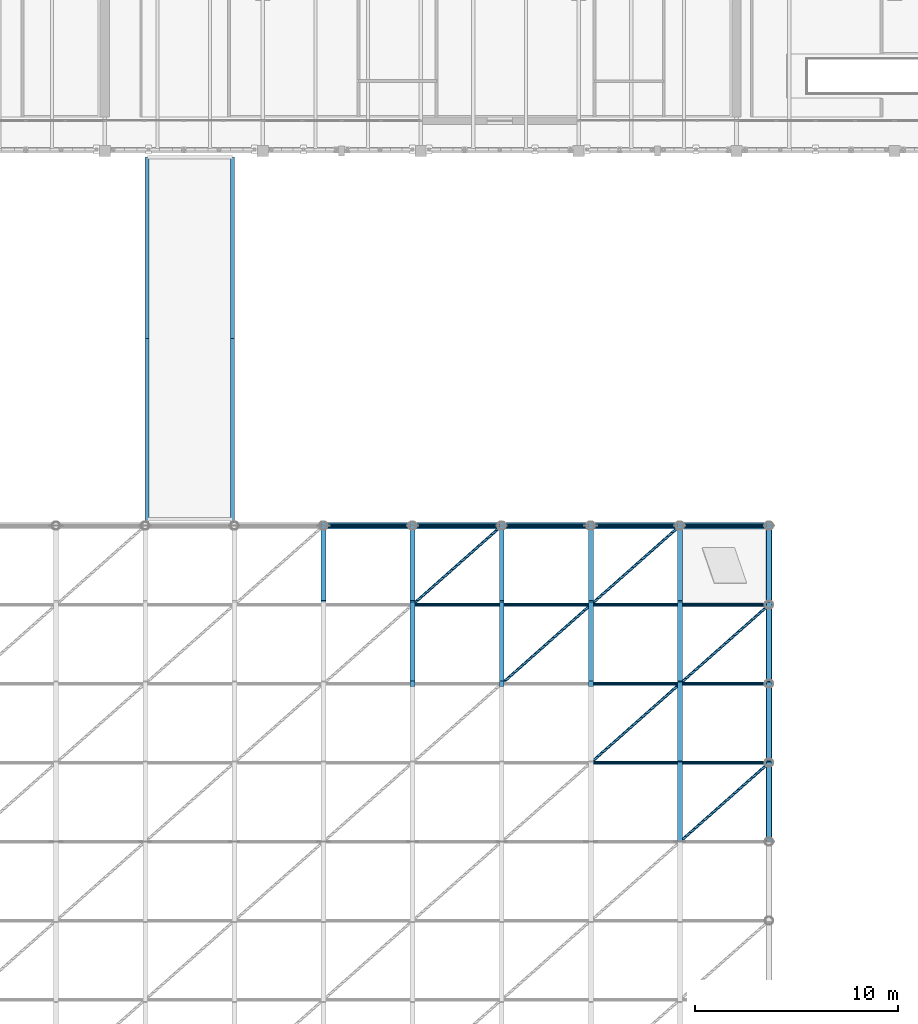
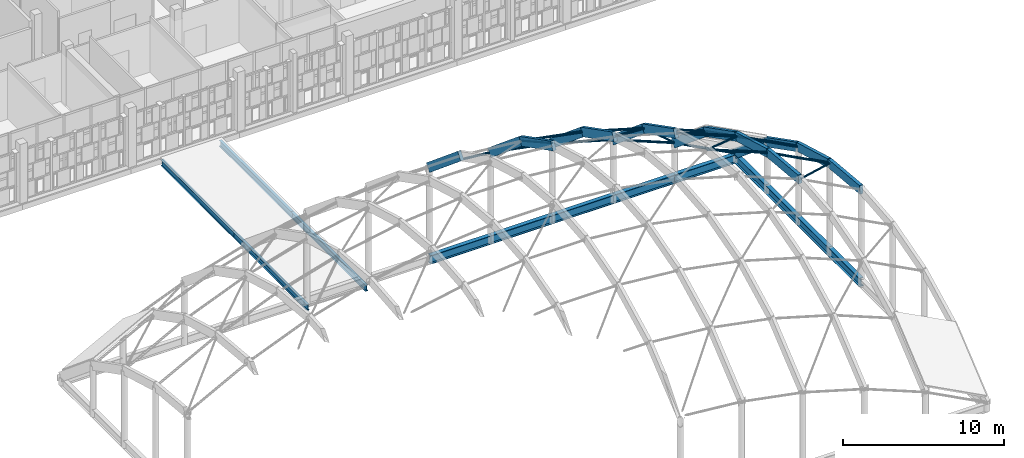
# One storey, part 51 of 119: 34 members, 13 beams.
"""IFC4 building model written with IfcOpenShell, lengths in metres."""

from ifc_helpers import new_model, si_unit, direction, frame, origin, origin_2d, place, context, subcontext, project, spatial, rectangle, hollow_circle, i_section, extrude, material, material_profile, profile_set, type_object, element, save


model = new_model("IFC4")

# Units and contexts
model_context = context("Model", 3, precision=1e-05, world=origin(), true_north=direction((0.0, 1.0)))
body_context = subcontext(model_context, "Body", "Model", "MODEL_VIEW")
ifc_project = project(units=[si_unit("LENGTHUNIT", "METRE"), si_unit("AREAUNIT", "SQUARE_METRE"), si_unit("VOLUMEUNIT", "CUBIC_METRE"), si_unit("PLANEANGLEUNIT", "RADIAN"), si_unit("MASSUNIT", "GRAM", prefix="KILO")], contexts=[model_context])

# Site, building, storey
site_placement = place(None, origin())
site = spatial("IfcSite", under=ifc_project, at=site_placement, CompositionType="ELEMENT")
building_placement = place(site_placement, origin())
building = spatial("IfcBuilding", under=site, at=building_placement, Name="Celorna Specialist Clinic", CompositionType="ELEMENT")
storey_placement = place(building_placement, frame((0.0, 0.0, 9.60009765625)))
storey = spatial("IfcBuildingStorey", under=building, at=storey_placement, Name="L02", CompositionType="ELEMENT", Elevation=9.60009765625)

# Beams
ifc_material_1 = material(Name="Steel S355", Category="steel")
ifc_material_profile_1 = material_profile(ifc_material_1, i_section(OverallWidth=0.300048828125, OverallDepth=0.64990234375, WebThickness=0.01611328125, FlangeThickness=0.031005859375, at=origin_2d()), Name="HE 650 B")
ifc_profile_set_1 = profile_set([ifc_material_profile_1], Name="Steel S355")
beam_type_1 = type_object("IfcBeamType", Name="BM-03", PredefinedType="BEAM", material=ifc_profile_set_1)
beam_1_placement = place(storey_placement, frame((81.0, 78.0, 0.27490234375), z_axis=(1.0, 0.0, 0.0), x_axis=(0.0, 1.0, 0.0)))
element("IfcBeam", 1, at=beam_1_placement, inside=storey, type_object=beam_type_1, Name="GSH-V1 gridshell perimeter edge ring beam", PredefinedType="BEAM", context=body_context, shape_type="SweptSolid", body=[
    extrude(i_section(OverallWidth=0.300048828125, OverallDepth=0.64990234375, WebThickness=0.01611328125, FlangeThickness=0.031005859375, at=origin_2d()), origin(), (0.0, 0.0, 1.0), 4.39990234375),
])
beam_2_placement = place(storey_placement, frame((85.39990234375, 78.0, 0.27490234375), z_axis=(1.0, 0.0, 0.0), x_axis=(0.0, 1.0, 0.0)))
element("IfcBeam", 2, at=beam_2_placement, inside=storey, type_object=beam_type_1, Name="GSH-V1 gridshell perimeter edge ring beam", PredefinedType="BEAM", context=body_context, shape_type="SweptSolid", body=[
    extrude(i_section(OverallWidth=0.300048828125, OverallDepth=0.64990234375, WebThickness=0.01611328125, FlangeThickness=0.031005859375, at=origin_2d()), origin(), (0.0, 0.0, 1.0), 4.400146484375),
])
beam_3_placement = place(storey_placement, frame((89.800048828125, 78.0, 0.27490234375), z_axis=(1.0, 0.0, 0.0), x_axis=(0.0, 1.0, 0.0)))
element("IfcBeam", 3, at=beam_3_placement, inside=storey, type_object=beam_type_1, Name="GSH-V1 gridshell perimeter edge ring beam", PredefinedType="BEAM", context=body_context, shape_type="SweptSolid", body=[
    extrude(i_section(OverallWidth=0.300048828125, OverallDepth=0.64990234375, WebThickness=0.01611328125, FlangeThickness=0.031005859375, at=origin_2d()), origin(), (0.0, 0.0, 1.0), 4.39990234375),
])
beam_4_placement = place(storey_placement, frame((94.199951171875, 78.0, 0.27490234375), z_axis=(1.0, 0.0, 0.0), x_axis=(0.0, 1.0, 0.0)))
element("IfcBeam", 4, at=beam_4_placement, inside=storey, type_object=beam_type_1, Name="GSH-V1 gridshell perimeter edge ring beam", PredefinedType="BEAM", context=body_context, shape_type="SweptSolid", body=[
    extrude(i_section(OverallWidth=0.300048828125, OverallDepth=0.64990234375, WebThickness=0.01611328125, FlangeThickness=0.031005859375, at=origin_2d()), origin(), (0.0, 0.0, 1.0), 4.400146484375),
])
beam_5_placement = place(storey_placement, frame((98.60009765625, 78.0, 0.27490234375), z_axis=(1.0, 0.0, 0.0), x_axis=(0.0, 1.0, 0.0)))
element("IfcBeam", 5, at=beam_5_placement, inside=storey, type_object=beam_type_1, Name="GSH-V1 gridshell perimeter edge ring beam", PredefinedType="BEAM", context=body_context, shape_type="SweptSolid", body=[
    extrude(i_section(OverallWidth=0.300048828125, OverallDepth=0.64990234375, WebThickness=0.01611328125, FlangeThickness=0.031005859375, at=origin_2d()), origin(), (0.0, 0.0, 1.0), 4.39990234375),
])
beam_6_placement = place(storey_placement, frame((103.0, 62.39990234375, 0.27490234375), z_axis=(0.0, 1.0, 0.0), x_axis=(-1.0, 0.0, 0.0)))
element("IfcBeam", 6, at=beam_6_placement, inside=storey, type_object=beam_type_1, Name="GSH-V1 gridshell perimeter edge ring beam", PredefinedType="BEAM", context=body_context, shape_type="SweptSolid", body=[
    extrude(i_section(OverallWidth=0.300048828125, OverallDepth=0.64990234375, WebThickness=0.01611328125, FlangeThickness=0.031005859375, at=origin_2d()), origin(), (0.0, 0.0, 1.0), 3.900146484375),
])
beam_7_placement = place(storey_placement, frame((103.0, 66.300048828125, 0.27490234375), z_axis=(0.0, 1.0, 0.0), x_axis=(-1.0, 0.0, 0.0)))
element("IfcBeam", 7, at=beam_7_placement, inside=storey, type_object=beam_type_1, Name="GSH-V1 gridshell perimeter edge ring beam", PredefinedType="BEAM", context=body_context, shape_type="SweptSolid", body=[
    extrude(i_section(OverallWidth=0.300048828125, OverallDepth=0.64990234375, WebThickness=0.01611328125, FlangeThickness=0.031005859375, at=origin_2d()), origin(), (0.0, 0.0, 1.0), 3.89990234375),
])
beam_8_placement = place(storey_placement, frame((103.0, 70.199951171875, 0.27490234375), z_axis=(0.0, 1.0, 0.0), x_axis=(-1.0, 0.0, 0.0)))
element("IfcBeam", 8, at=beam_8_placement, inside=storey, type_object=beam_type_1, Name="GSH-V1 gridshell perimeter edge ring beam", PredefinedType="BEAM", context=body_context, shape_type="SweptSolid", body=[
    extrude(i_section(OverallWidth=0.300048828125, OverallDepth=0.64990234375, WebThickness=0.01611328125, FlangeThickness=0.031005859375, at=origin_2d()), origin(), (0.0, 0.0, 1.0), 3.900146484375),
])
beam_9_placement = place(storey_placement, frame((103.0, 74.10009765625, 0.27490234375), z_axis=(0.0, 1.0, 0.0), x_axis=(-1.0, 0.0, 0.0)))
element("IfcBeam", 9, at=beam_9_placement, inside=storey, type_object=beam_type_1, Name="GSH-V1 gridshell perimeter edge ring beam", PredefinedType="BEAM", context=body_context, shape_type="SweptSolid", body=[
    extrude(i_section(OverallWidth=0.300048828125, OverallDepth=0.64990234375, WebThickness=0.01611328125, FlangeThickness=0.031005859375, at=origin_2d()), origin(), (0.0, 0.0, 1.0), 3.89990234375),
])
ifc_material_profile_2 = material_profile(ifc_material_1, i_section(OverallWidth=0.18994140625, OverallDepth=0.449951171875, WebThickness=0.009521484375, FlangeThickness=0.0146484375, at=origin_2d()), Name="IPE 450")
ifc_profile_set_2 = profile_set([ifc_material_profile_2], Name="Steel S355")
beam_type_2 = type_object("IfcBeamType", Name="BM-09", PredefinedType="BEAM", material=ifc_profile_set_2)
beam_10_placement = place(storey_placement, frame((72.300048828125, 78.0, -0.364990234375), z_axis=(0.0, 1.0, 0.0), x_axis=(-1.0, 0.0, 0.0)))
element("IfcBeam", 10, at=beam_10_placement, inside=storey, type_object=beam_type_2, Name="Bridge BR-04 edge girder BM-09 #104", PredefinedType="BEAM", context=body_context, shape_type="SweptSolid", body=[
    extrude(i_section(OverallWidth=0.18994140625, OverallDepth=0.449951171875, WebThickness=0.009521484375, FlangeThickness=0.0146484375, at=origin_2d()), origin(), (0.0, 0.0, 1.0), 9.25),
])
beam_11_placement = place(storey_placement, frame((72.300048828125, 87.25, -0.364990234375), z_axis=(0.0, 1.0, 0.0), x_axis=(-1.0, 0.0, 0.0)))
element("IfcBeam", 11, at=beam_11_placement, inside=storey, type_object=beam_type_2, Name="Bridge BR-04 edge girder BM-09 #105", PredefinedType="BEAM", context=body_context, shape_type="SweptSolid", body=[
    extrude(i_section(OverallWidth=0.18994140625, OverallDepth=0.449951171875, WebThickness=0.009521484375, FlangeThickness=0.0146484375, at=origin_2d()), origin(), (0.0, 0.0, 1.0), 8.949951171875),
])
beam_12_placement = place(storey_placement, frame((76.5, 78.0, -0.364990234375), z_axis=(0.0, 1.0, 0.0), x_axis=(-1.0, 0.0, 0.0)))
element("IfcBeam", 12, at=beam_12_placement, inside=storey, type_object=beam_type_2, Name="Bridge BR-04 edge girder BM-09 #106", PredefinedType="BEAM", context=body_context, shape_type="SweptSolid", body=[
    extrude(i_section(OverallWidth=0.18994140625, OverallDepth=0.449951171875, WebThickness=0.009521484375, FlangeThickness=0.0146484375, at=origin_2d()), origin(), (0.0, 0.0, 1.0), 9.25),
])
beam_13_placement = place(storey_placement, frame((76.5, 87.25, -0.364990234375), z_axis=(0.0, 1.0, 0.0), x_axis=(-1.0, 0.0, 0.0)))
element("IfcBeam", 13, at=beam_13_placement, inside=storey, type_object=beam_type_2, Name="Bridge BR-04 edge girder BM-09 #107", PredefinedType="BEAM", context=body_context, shape_type="SweptSolid", body=[
    extrude(i_section(OverallWidth=0.18994140625, OverallDepth=0.449951171875, WebThickness=0.009521484375, FlangeThickness=0.0146484375, at=origin_2d()), origin(), (0.0, 0.0, 1.0), 8.949951171875),
])

# Members
ifc_material_2 = material(Name="Glulam GL28h", Category="wood")
ifc_material_profile_3 = material_profile(ifc_material_2, rectangle(XDim=0.239990234375, YDim=0.639892578125, at=origin_2d()), Name="GL28h 240x640")
ifc_profile_set_3 = profile_set([ifc_material_profile_3], Name="Glulam GL28h")
member_type_1 = type_object("IfcMemberType", Name="MB-01", PredefinedType="RAFTER", material=ifc_profile_set_3)
member_1_placement = place(storey_placement, frame((81.0, 74.10009765625, 10.486083984375), z_axis=(0.0, 0.768923128228, -0.639341241338), x_axis=(-1.0, 0.0, 0.0)))
element("IfcMember", 14, at=member_1_placement, inside=storey, type_object=member_type_1, Name="GSH-V1 glulam gridshell arch rib WP-197-WP-143", PredefinedType="RAFTER", context=body_context, shape_type="SweptSolid", body=[
    extrude(rectangle(XDim=0.239990234375, YDim=0.639892578125, at=origin_2d()), origin(), (0.0, 0.0, 1.0), 5.072021484375),
])
member_2_placement = place(storey_placement, frame((85.39990234375, 70.199951171875, 12.0703125), z_axis=(0.0, 0.890050532634, -0.455861875306), x_axis=(-1.0, 0.0, 0.0)))
element("IfcMember", 15, at=member_2_placement, inside=storey, type_object=member_type_1, Name="GSH-V1 glulam gridshell arch rib WP-203-WP-204", PredefinedType="RAFTER", context=body_context, shape_type="SweptSolid", body=[
    extrude(rectangle(XDim=0.239990234375, YDim=0.639892578125, at=origin_2d()), origin(), (0.0, 0.0, 1.0), 4.3818359375),
])
member_3_placement = place(storey_placement, frame((85.39990234375, 74.10009765625, 10.07275390625), z_axis=(0.0, 0.768923128228, -0.639341241338), x_axis=(-1.0, 0.0, 0.0)))
element("IfcMember", 16, at=member_3_placement, inside=storey, type_object=member_type_1, Name="GSH-V1 glulam gridshell arch rib WP-204-WP-144", PredefinedType="RAFTER", context=body_context, shape_type="SweptSolid", body=[
    extrude(rectangle(XDim=0.239990234375, YDim=0.639892578125, at=origin_2d()), origin(), (0.0, 0.0, 1.0), 5.072021484375),
])
member_4_placement = place(storey_placement, frame((89.800048828125, 70.199951171875, 11.232177734375), z_axis=(0.0, 0.890050532634, -0.455861875306), x_axis=(-1.0, 0.0, 0.0)))
element("IfcMember", 17, at=member_4_placement, inside=storey, type_object=member_type_1, Name="GSH-V1 glulam gridshell arch rib WP-210-WP-211", PredefinedType="RAFTER", context=body_context, shape_type="SweptSolid", body=[
    extrude(rectangle(XDim=0.239990234375, YDim=0.639892578125, at=origin_2d()), origin(), (0.0, 0.0, 1.0), 4.3818359375),
])
member_5_placement = place(storey_placement, frame((89.800048828125, 74.10009765625, 9.234619140625), z_axis=(0.0, 0.768923128228, -0.639341241338), x_axis=(-1.0, 0.0, 0.0)))
element("IfcMember", 18, at=member_5_placement, inside=storey, type_object=member_type_1, Name="GSH-V1 glulam gridshell arch rib WP-211-WP-145", PredefinedType="RAFTER", context=body_context, shape_type="SweptSolid", body=[
    extrude(rectangle(XDim=0.239990234375, YDim=0.639892578125, at=origin_2d()), origin(), (0.0, 0.0, 1.0), 5.072021484375),
])
member_6_placement = place(storey_placement, frame((94.199951171875, 70.199951171875, 9.945556640625), z_axis=(0.0, 0.890050532634, -0.455861875306), x_axis=(-1.0, 0.0, 0.0)))
element("IfcMember", 19, at=member_6_placement, inside=storey, type_object=member_type_1, Name="GSH-V1 glulam gridshell arch rib WP-217-WP-218", PredefinedType="RAFTER", context=body_context, shape_type="SweptSolid", body=[
    extrude(rectangle(XDim=0.239990234375, YDim=0.639892578125, at=origin_2d()), origin(), (0.0, 0.0, 1.0), 4.3818359375),
])
member_7_placement = place(storey_placement, frame((94.199951171875, 74.10009765625, 7.947998046875), z_axis=(0.0, 0.768923128228, -0.639341241338), x_axis=(-1.0, 0.0, 0.0)))
element("IfcMember", 20, at=member_7_placement, inside=storey, type_object=member_type_1, Name="GSH-V1 glulam gridshell arch rib WP-218-WP-146", PredefinedType="RAFTER", context=body_context, shape_type="SweptSolid", body=[
    extrude(rectangle(XDim=0.239990234375, YDim=0.639892578125, at=origin_2d()), origin(), (0.0, 0.0, 1.0), 5.072021484375),
])
member_8_placement = place(storey_placement, frame((98.60009765625, 62.39990234375, 9.634521484375), z_axis=(0.0, 0.995838352003, -0.091137131182), x_axis=(-1.0, 0.0, 0.0)))
element("IfcMember", 21, at=member_8_placement, inside=storey, type_object=member_type_1, Name="GSH-V1 glulam gridshell arch rib WP-222-WP-223", PredefinedType="RAFTER", context=body_context, shape_type="SweptSolid", body=[
    extrude(rectangle(XDim=0.239990234375, YDim=0.639892578125, at=origin_2d()), origin(), (0.0, 0.0, 1.0), 3.91650390625),
])
member_9_placement = place(storey_placement, frame((98.60009765625, 66.300048828125, 9.277587890625), z_axis=(0.0, 0.961936436795, -0.273273290984), x_axis=(-1.0, 0.0, 0.0)))
element("IfcMember", 22, at=member_9_placement, inside=storey, type_object=member_type_1, Name="GSH-V1 glulam gridshell arch rib WP-223-WP-224", PredefinedType="RAFTER", context=body_context, shape_type="SweptSolid", body=[
    extrude(rectangle(XDim=0.239990234375, YDim=0.639892578125, at=origin_2d()), origin(), (0.0, 0.0, 1.0), 4.05419921875),
])
member_10_placement = place(storey_placement, frame((98.60009765625, 70.199951171875, 8.169677734375), z_axis=(0.0, 0.890050532634, -0.455861875306), x_axis=(-1.0, 0.0, 0.0)))
element("IfcMember", 23, at=member_10_placement, inside=storey, type_object=member_type_1, Name="GSH-V1 glulam gridshell arch rib WP-224-WP-225", PredefinedType="RAFTER", context=body_context, shape_type="SweptSolid", body=[
    extrude(rectangle(XDim=0.239990234375, YDim=0.639892578125, at=origin_2d()), origin(), (0.0, 0.0, 1.0), 4.3818359375),
])
member_11_placement = place(storey_placement, frame((98.60009765625, 74.10009765625, 6.172119140625), z_axis=(0.0, 0.768923128228, -0.639341241338), x_axis=(-1.0, 0.0, 0.0)))
element("IfcMember", 24, at=member_11_placement, inside=storey, type_object=member_type_1, Name="GSH-V1 glulam gridshell arch rib WP-225-WP-147", PredefinedType="RAFTER", context=body_context, shape_type="SweptSolid", body=[
    extrude(rectangle(XDim=0.239990234375, YDim=0.639892578125, at=origin_2d()), origin(), (0.0, 0.0, 1.0), 5.072021484375),
])
member_12_placement = place(storey_placement, frame((103.0, 62.39990234375, 7.304931640625), z_axis=(0.0, 0.995844007716, -0.091075311128), x_axis=(-1.0, 0.0, 0.0)))
element("IfcMember", 25, at=member_12_placement, inside=storey, type_object=member_type_1, Name="GSH-V1 glulam gridshell arch rib WP-229-WP-230", PredefinedType="RAFTER", context=body_context, shape_type="SweptSolid", body=[
    extrude(rectangle(XDim=0.239990234375, YDim=0.639892578125, at=origin_2d()), origin(), (0.0, 0.0, 1.0), 3.91650390625),
])
member_13_placement = place(storey_placement, frame((103.0, 66.300048828125, 6.9482421875), z_axis=(0.0, 0.961920605612, -0.273329011448), x_axis=(-1.0, 0.0, 0.0)))
element("IfcMember", 26, at=member_13_placement, inside=storey, type_object=member_type_1, Name="GSH-V1 glulam gridshell arch rib WP-230-WP-231", PredefinedType="RAFTER", context=body_context, shape_type="SweptSolid", body=[
    extrude(rectangle(XDim=0.239990234375, YDim=0.639892578125, at=origin_2d()), origin(), (0.0, 0.0, 1.0), 4.05419921875),
])
member_14_placement = place(storey_placement, frame((103.0, 70.199951171875, 5.840087890625), z_axis=(0.0, 0.89007313801, -0.455817736592), x_axis=(-1.0, 0.0, 0.0)))
element("IfcMember", 27, at=member_14_placement, inside=storey, type_object=member_type_1, Name="GSH-V1 glulam gridshell arch rib WP-231-WP-232", PredefinedType="RAFTER", context=body_context, shape_type="SweptSolid", body=[
    extrude(rectangle(XDim=0.239990234375, YDim=0.639892578125, at=origin_2d()), origin(), (0.0, 0.0, 1.0), 4.3818359375),
])
member_15_placement = place(storey_placement, frame((103.0, 74.10009765625, 3.8427734375), z_axis=(0.0, 0.768899464608, -0.639369700037), x_axis=(-1.0, 0.0, 0.0)))
element("IfcMember", 28, at=member_15_placement, inside=storey, type_object=member_type_1, Name="GSH-V1 glulam gridshell arch rib WP-232-WP-148", PredefinedType="RAFTER", context=body_context, shape_type="SweptSolid", body=[
    extrude(rectangle(XDim=0.239990234375, YDim=0.639892578125, at=origin_2d()), origin(), (0.0, 0.0, 1.0), 5.072021484375),
])
ifc_material_profile_4 = material_profile(ifc_material_1, hollow_circle(Radius=0.084228515625, WallThickness=0.010009765625, at=origin_2d()), Name="CHS 168.3x10")
ifc_profile_set_4 = profile_set([ifc_material_profile_4], Name="Steel S355")
member_type_2 = type_object("IfcMemberType", Name="MB-03", PredefinedType="PURLIN", material=ifc_profile_set_4)
member_16_placement = place(storey_placement, frame((81.0, 78.0, 7.243408203125), z_axis=(0.995616559968, 0.0, -0.0935289555), x_axis=(0.0, 1.0, 0.0)))
element("IfcMember", 29, at=member_16_placement, inside=storey, type_object=member_type_2, Name="GSH-V1 gridshell edge arch chord WP-143-WP-144", PredefinedType="PURLIN", context=body_context, shape_type="SweptSolid", body=[
    extrude(hollow_circle(Radius=0.084228515625, WallThickness=0.010009765625, at=origin_2d()), origin(), (0.0, 0.0, 1.0), 4.419189453125),
])
member_17_placement = place(storey_placement, frame((85.39990234375, 78.0, 6.830078125), z_axis=(0.982338089354, 0.0, -0.187114612481), x_axis=(0.0, 1.0, 0.0)))
element("IfcMember", 30, at=member_17_placement, inside=storey, type_object=member_type_2, Name="GSH-V1 gridshell edge arch chord WP-144-WP-145", PredefinedType="PURLIN", context=body_context, shape_type="SweptSolid", body=[
    extrude(hollow_circle(Radius=0.084228515625, WallThickness=0.010009765625, at=origin_2d()), origin(), (0.0, 0.0, 1.0), 4.479248046875),
])
member_18_placement = place(storey_placement, frame((89.800048828125, 78.0, 5.991943359375), z_axis=(0.959805314986, 0.0, -0.280666630229), x_axis=(0.0, 1.0, 0.0)))
element("IfcMember", 31, at=member_18_placement, inside=storey, type_object=member_type_2, Name="GSH-V1 gridshell edge arch chord WP-145-WP-146", PredefinedType="PURLIN", context=body_context, shape_type="SweptSolid", body=[
    extrude(hollow_circle(Radius=0.084228515625, WallThickness=0.010009765625, at=origin_2d()), origin(), (0.0, 0.0, 1.0), 4.584228515625),
])
member_19_placement = place(storey_placement, frame((94.199951171875, 78.0, 4.705322265625), z_axis=(0.927322552117, 0.0, -0.374263121794), x_axis=(0.0, 1.0, 0.0)))
element("IfcMember", 32, at=member_19_placement, inside=storey, type_object=member_type_2, Name="GSH-V1 gridshell edge arch chord WP-146-WP-147", PredefinedType="PURLIN", context=body_context, shape_type="SweptSolid", body=[
    extrude(hollow_circle(Radius=0.084228515625, WallThickness=0.010009765625, at=origin_2d()), origin(), (0.0, 0.0, 1.0), 4.7451171875),
])
member_20_placement = place(storey_placement, frame((98.60009765625, 78.0, 2.929443359375), z_axis=(0.883768830423, 0.0, -0.467923769831), x_axis=(0.0, 1.0, 0.0)))
element("IfcMember", 33, at=member_20_placement, inside=storey, type_object=member_type_2, Name="GSH-V1 gridshell edge arch chord WP-147-WP-148", PredefinedType="PURLIN", context=body_context, shape_type="SweptSolid", body=[
    extrude(hollow_circle(Radius=0.084228515625, WallThickness=0.010009765625, at=origin_2d()), origin(), (0.0, 0.0, 1.0), 4.978515625),
])
member_21_placement = place(storey_placement, frame((94.199951171875, 66.300048828125, 11.0537109375), z_axis=(0.927304694278, 0.0, -0.374307365637), x_axis=(0.0, 1.0, 0.0)))
element("IfcMember", 34, at=member_21_placement, inside=storey, type_object=member_type_2, Name="GSH-V1 gridshell steel purlin WP-216-WP-223", PredefinedType="PURLIN", context=body_context, shape_type="SweptSolid", body=[
    extrude(hollow_circle(Radius=0.084228515625, WallThickness=0.010009765625, at=origin_2d()), origin(), (0.0, 0.0, 1.0), 4.7451171875),
])
member_22_placement = place(storey_placement, frame((98.60009765625, 66.300048828125, 9.277587890625), z_axis=(0.883789109196, 0.0, -0.467885467253), x_axis=(0.0, 1.0, 0.0)))
element("IfcMember", 35, at=member_22_placement, inside=storey, type_object=member_type_2, Name="GSH-V1 gridshell steel purlin WP-223-WP-230", PredefinedType="PURLIN", context=body_context, shape_type="SweptSolid", body=[
    extrude(hollow_circle(Radius=0.084228515625, WallThickness=0.010009765625, at=origin_2d()), origin(), (0.0, 0.0, 1.0), 4.978515625),
])
member_23_placement = place(storey_placement, frame((94.199951171875, 70.199951171875, 9.945556640625), z_axis=(0.927322552117, 0.0, -0.374263121794), x_axis=(0.0, 1.0, 0.0)))
element("IfcMember", 36, at=member_23_placement, inside=storey, type_object=member_type_2, Name="GSH-V1 gridshell steel purlin WP-217-WP-224", PredefinedType="PURLIN", context=body_context, shape_type="SweptSolid", body=[
    extrude(hollow_circle(Radius=0.084228515625, WallThickness=0.010009765625, at=origin_2d()), origin(), (0.0, 0.0, 1.0), 4.7451171875),
])
member_24_placement = place(storey_placement, frame((98.60009765625, 70.199951171875, 8.169677734375), z_axis=(0.883768830423, 0.0, -0.467923769831), x_axis=(0.0, 1.0, 0.0)))
element("IfcMember", 37, at=member_24_placement, inside=storey, type_object=member_type_2, Name="GSH-V1 gridshell steel purlin WP-224-WP-231", PredefinedType="PURLIN", context=body_context, shape_type="SweptSolid", body=[
    extrude(hollow_circle(Radius=0.084228515625, WallThickness=0.010009765625, at=origin_2d()), origin(), (0.0, 0.0, 1.0), 4.978515625),
])
member_25_placement = place(storey_placement, frame((85.39990234375, 74.10009765625, 10.07275390625), z_axis=(0.982338089354, 0.0, -0.187114612481), x_axis=(0.0, 1.0, 0.0)))
element("IfcMember", 38, at=member_25_placement, inside=storey, type_object=member_type_2, Name="GSH-V1 gridshell steel purlin WP-204-WP-211", PredefinedType="PURLIN", context=body_context, shape_type="SweptSolid", body=[
    extrude(hollow_circle(Radius=0.084228515625, WallThickness=0.010009765625, at=origin_2d()), origin(), (0.0, 0.0, 1.0), 4.479248046875),
])
member_26_placement = place(storey_placement, frame((89.800048828125, 74.10009765625, 9.234619140625), z_axis=(0.959805314986, 0.0, -0.280666630229), x_axis=(0.0, 1.0, 0.0)))
element("IfcMember", 39, at=member_26_placement, inside=storey, type_object=member_type_2, Name="GSH-V1 gridshell steel purlin WP-211-WP-218", PredefinedType="PURLIN", context=body_context, shape_type="SweptSolid", body=[
    extrude(hollow_circle(Radius=0.084228515625, WallThickness=0.010009765625, at=origin_2d()), origin(), (0.0, 0.0, 1.0), 4.584228515625),
])
member_27_placement = place(storey_placement, frame((94.199951171875, 74.10009765625, 7.947998046875), z_axis=(0.927322552117, 0.0, -0.374263121794), x_axis=(0.0, 1.0, 0.0)))
element("IfcMember", 40, at=member_27_placement, inside=storey, type_object=member_type_2, Name="GSH-V1 gridshell steel purlin WP-218-WP-225", PredefinedType="PURLIN", context=body_context, shape_type="SweptSolid", body=[
    extrude(hollow_circle(Radius=0.084228515625, WallThickness=0.010009765625, at=origin_2d()), origin(), (0.0, 0.0, 1.0), 4.7451171875),
])
member_28_placement = place(storey_placement, frame((98.60009765625, 74.10009765625, 6.172119140625), z_axis=(0.883789109196, 0.0, -0.467885467253), x_axis=(0.0, 1.0, 0.0)))
element("IfcMember", 41, at=member_28_placement, inside=storey, type_object=member_type_2, Name="GSH-V1 gridshell steel purlin WP-225-WP-232", PredefinedType="PURLIN", context=body_context, shape_type="SweptSolid", body=[
    extrude(hollow_circle(Radius=0.084228515625, WallThickness=0.010009765625, at=origin_2d()), origin(), (0.0, 0.0, 1.0), 4.978515625),
])
ifc_material_profile_5 = material_profile(ifc_material_1, hollow_circle(Radius=0.06982421875, WallThickness=0.008056640625, at=origin_2d()), Name="CHS 139.7x8")
ifc_profile_set_5 = profile_set([ifc_material_profile_5], Name="Steel S355")
member_type_3 = type_object("IfcMemberType", Name="MB-08", PredefinedType="BRACE", material=ifc_profile_set_5)
member_29_placement = place(storey_placement, frame((85.39990234375, 74.10009765625, 10.07275390625), z_axis=(0.614797837841, 0.544902661137, -0.57017954056), x_axis=(-0.66328584577, 0.748366144879, 0.0)))
element("IfcMember", 42, at=member_29_placement, inside=storey, type_object=member_type_3, Name="GSH-V1 gridshell shell brace WP-204-WP-145", PredefinedType="BRACE", context=body_context, shape_type="SweptSolid", body=[
    extrude(hollow_circle(Radius=0.06982421875, WallThickness=0.008056640625, at=origin_2d()), origin(), (0.0, 0.0, 1.0), 7.156982421875),
])
member_30_placement = place(storey_placement, frame((89.800048828125, 70.199951171875, 11.232177734375), z_axis=(0.653318704449, 0.579112545976, -0.487650827447), x_axis=(-0.663329710865, 0.748327264426, 0.0)))
element("IfcMember", 43, at=member_30_placement, inside=storey, type_object=member_type_3, Name="GSH-V1 gridshell shell brace WP-210-WP-218", PredefinedType="BRACE", context=body_context, shape_type="SweptSolid", body=[
    extrude(hollow_circle(Radius=0.06982421875, WallThickness=0.008056640625, at=origin_2d()), origin(), (0.0, 0.0, 1.0), 6.734619140625),
])
member_31_placement = place(storey_placement, frame((94.199951171875, 66.300048828125, 11.0537109375), z_axis=(0.67189027038, 0.59550436548, -0.440383940742), x_axis=(-0.66328584577, 0.748366144879, 0.0)))
element("IfcMember", 44, at=member_31_placement, inside=storey, type_object=member_type_3, Name="GSH-V1 gridshell shell brace WP-216-WP-224", PredefinedType="BRACE", context=body_context, shape_type="SweptSolid", body=[
    extrude(hollow_circle(Radius=0.06982421875, WallThickness=0.008056640625, at=origin_2d()), origin(), (0.0, 0.0, 1.0), 6.548828125),
])
member_32_placement = place(storey_placement, frame((94.199951171875, 74.10009765625, 7.947998046875), z_axis=(0.569213058169, 0.50450032687, -0.649211764063), x_axis=(-0.66328584577, 0.748366144879, 0.0)))
element("IfcMember", 45, at=member_32_placement, inside=storey, type_object=member_type_3, Name="GSH-V1 gridshell shell brace WP-218-WP-147", PredefinedType="BRACE", context=body_context, shape_type="SweptSolid", body=[
    extrude(hollow_circle(Radius=0.06982421875, WallThickness=0.008056640625, at=origin_2d()), origin(), (0.0, 0.0, 1.0), 7.730224609375),
])
member_33_placement = place(storey_placement, frame((98.60009765625, 62.39990234375, 9.634521484375), z_axis=(0.680652845254, 0.603341982185, -0.415560051955), x_axis=(-0.663329710865, 0.748327264426, 0.0)))
element("IfcMember", 46, at=member_33_placement, inside=storey, type_object=member_type_3, Name="GSH-V1 gridshell shell brace WP-222-WP-230", PredefinedType="BRACE", context=body_context, shape_type="SweptSolid", body=[
    extrude(hollow_circle(Radius=0.06982421875, WallThickness=0.008056640625, at=origin_2d()), origin(), (0.0, 0.0, 1.0), 6.46435546875),
])
member_34_placement = place(storey_placement, frame((98.60009765625, 70.199951171875, 8.169677734375), z_axis=(0.602712866863, 0.534254691384, -0.592713358085), x_axis=(-0.663329710865, 0.748327264426, 0.0)))
element("IfcMember", 47, at=member_34_placement, inside=storey, type_object=member_type_3, Name="GSH-V1 gridshell shell brace WP-224-WP-232", PredefinedType="BRACE", context=body_context, shape_type="SweptSolid", body=[
    extrude(hollow_circle(Radius=0.06982421875, WallThickness=0.008056640625, at=origin_2d()), origin(), (0.0, 0.0, 1.0), 7.300048828125),
])

save(model, "model.ifc")
